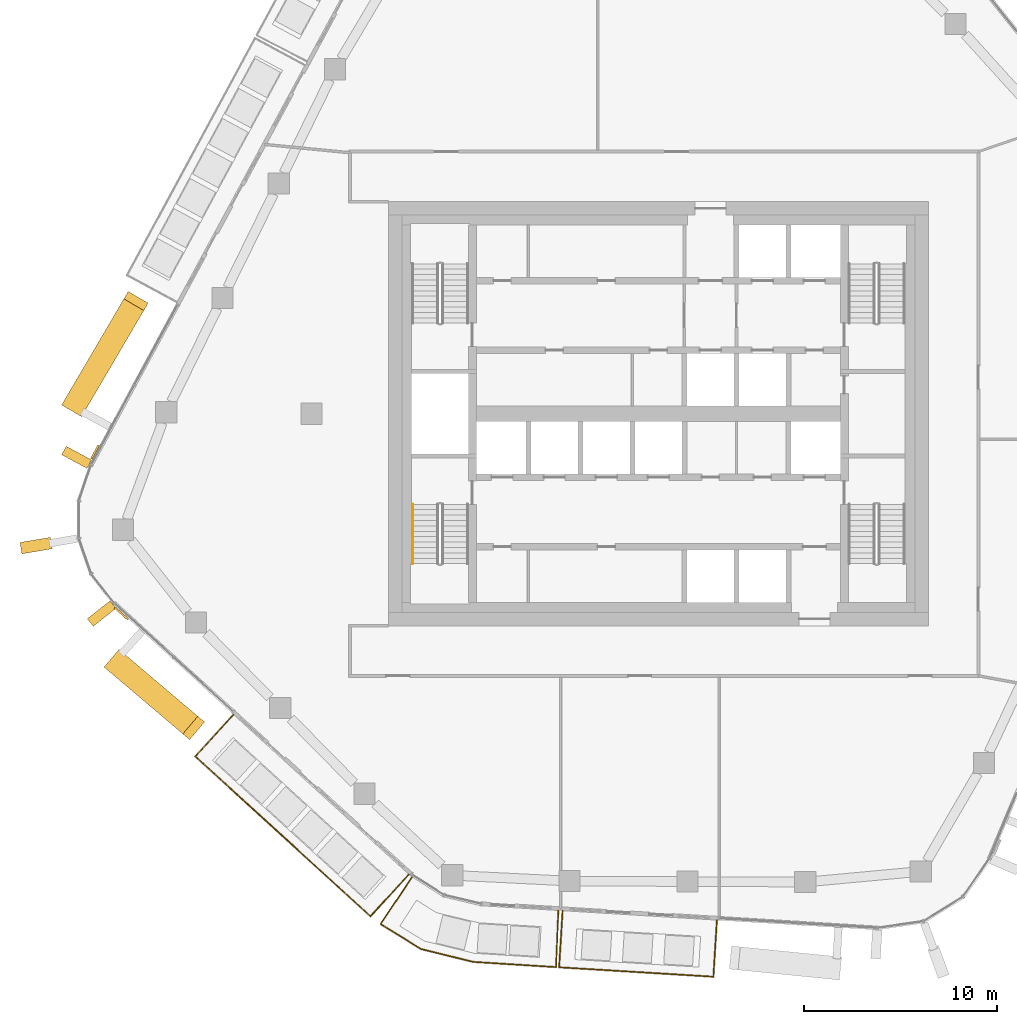
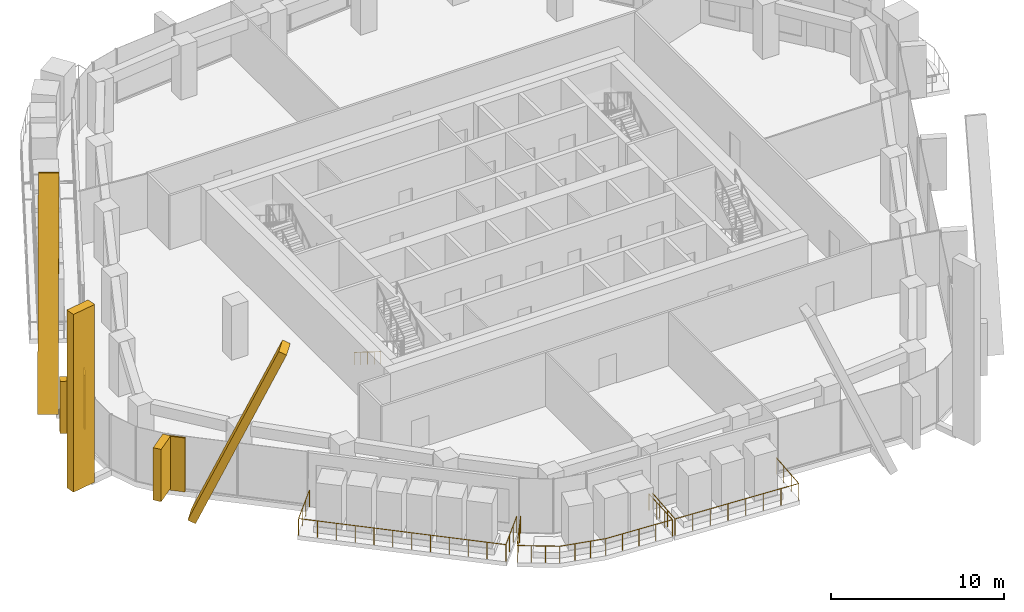
# One storey, part 15 of 20: 7 coverings, 4 railings, 3 elements without a shape of their own.
"""IFC4 building model written with IfcOpenShell, lengths in metres."""

from ifc_helpers import new_model, si_unit, direction, frame, origin, origin_2d, place, context, subcontext, project, spatial, rectangle, circle, extrude, material, layer, layer_set, material_profile, profile_set, type_object, element, aggregate, save


model = new_model("IFC4")

# Units and contexts
model_context = context("Model", 3, precision=1e-05, world=origin(), true_north=direction((0.0, 1.0)))
body_context = subcontext(model_context, "Body", "Model", "MODEL_VIEW")
ifc_project = project(units=[si_unit("LENGTHUNIT", "METRE"), si_unit("AREAUNIT", "SQUARE_METRE"), si_unit("VOLUMEUNIT", "CUBIC_METRE"), si_unit("PLANEANGLEUNIT", "RADIAN"), si_unit("MASSUNIT", "GRAM", prefix="KILO")], contexts=[model_context])

# Site, building, storey
site_placement = place(None, origin())
site = spatial("IfcSite", under=ifc_project, at=site_placement, CompositionType="ELEMENT")
building_placement = place(site_placement, origin())
building = spatial("IfcBuilding", under=site, at=building_placement, Name="Dongbaek Canopy Tower", CompositionType="ELEMENT")
storey_placement = place(building_placement, frame((0.0, 0.0, 253.800048828125)))
storey = spatial("IfcBuildingStorey", under=building, at=storey_placement, Name="L53", CompositionType="ELEMENT", Elevation=253.800048828125)

# Railings
ifc_material_1 = material(Name="Stainless steel", Category="steel")
railing_type_1 = type_object("IfcRailingType", Name="Balcony balustrade 1200", PredefinedType="BALUSTRADE", material=ifc_material_1)
railing_1_placement = place(storey_placement, frame((-22.044921875, -15.609375, 0.0)))
element("IfcRailing", 1, at=railing_1_placement, inside=storey, type_object=railing_type_1, Name="Balcony guard L53 3", PredefinedType="BALUSTRADE", context=body_context, shape_type="SweptSolid", body=[
    extrude(circle(Radius=0.02392578125, at=origin_2d()), frame((0.0, 0.0, 1.17578125), z_axis=(-0.673849872767, -0.738868289326, 0.0), x_axis=(0.738868289326, -0.673849872767, 0.0)), (0.0, 0.0, 1.0), 2.940185546875),
    extrude(circle(Radius=0.02392578125, at=origin_2d()), frame((-1.981201171875, -2.17236328125, 1.17578125), z_axis=(0.738846279303, -0.673874005702, 0.0), x_axis=(0.673874005702, 0.738846279303, 0.0)), (0.0, 0.0, 1.0), 12.302490234375),
    extrude(circle(Radius=0.02392578125, at=origin_2d()), frame((7.1083984375, -10.462646484375, 1.17578125), z_axis=(0.673891217517, 0.738830580684, 0.0), x_axis=(-0.738830580684, 0.673891217517, 0.0)), (0.0, 0.0, 1.0), 2.93994140625),
    extrude(circle(Radius=0.02099609375, at=origin_2d()), origin(), (0.0, 0.0, 1.0), 1.15185546875),
    extrude(circle(Radius=0.02099609375, at=origin_2d()), frame((-0.660400390625, -0.72412109375, 0.0)), (0.0, 0.0, 1.0), 1.15185546875),
    extrude(circle(Radius=0.02099609375, at=origin_2d()), frame((-1.32080078125, -1.4482421875, 0.0)), (0.0, 0.0, 1.0), 1.15185546875),
    extrude(circle(Radius=0.02099609375, at=origin_2d()), frame((-1.981201171875, -2.17236328125, 0.0)), (0.0, 0.0, 1.0), 1.15185546875),
    extrude(circle(Radius=0.02099609375, at=origin_2d()), frame((-1.15478515625, -2.926025390625, 0.0)), (0.0, 0.0, 1.0), 1.15185546875),
    extrude(circle(Radius=0.02099609375, at=origin_2d()), frame((-0.32861328125, -3.6796875, 0.0)), (0.0, 0.0, 1.0), 1.15185546875),
    extrude(circle(Radius=0.02099609375, at=origin_2d()), frame((0.497802734375, -4.433349609375, 0.0)), (0.0, 0.0, 1.0), 1.15185546875),
    extrude(circle(Radius=0.02099609375, at=origin_2d()), frame((1.32421875, -5.18701171875, 0.0)), (0.0, 0.0, 1.0), 1.15185546875),
    extrude(circle(Radius=0.02099609375, at=origin_2d()), frame((2.150390625, -5.940673828125, 0.0)), (0.0, 0.0, 1.0), 1.15185546875),
    extrude(circle(Radius=0.02099609375, at=origin_2d()), frame((2.976806640625, -6.6943359375, 0.0)), (0.0, 0.0, 1.0), 1.15185546875),
    extrude(circle(Radius=0.02099609375, at=origin_2d()), frame((3.802978515625, -7.447998046875, 0.0)), (0.0, 0.0, 1.0), 1.15185546875),
    extrude(circle(Radius=0.02099609375, at=origin_2d()), frame((4.62939453125, -8.20166015625, 0.0)), (0.0, 0.0, 1.0), 1.15185546875),
    extrude(circle(Radius=0.02099609375, at=origin_2d()), frame((5.455810546875, -8.955322265625, 0.0)), (0.0, 0.0, 1.0), 1.15185546875),
    extrude(circle(Radius=0.02099609375, at=origin_2d()), frame((6.281982421875, -9.708984375, 0.0)), (0.0, 0.0, 1.0), 1.15185546875),
    extrude(circle(Radius=0.02099609375, at=origin_2d()), frame((7.1083984375, -10.462646484375, 0.0)), (0.0, 0.0, 1.0), 1.15185546875),
    extrude(circle(Radius=0.02099609375, at=origin_2d()), frame((7.768798828125, -9.738525390625, 0.0)), (0.0, 0.0, 1.0), 1.15185546875),
    extrude(circle(Radius=0.02099609375, at=origin_2d()), frame((8.42919921875, -9.0146484375, 0.0)), (0.0, 0.0, 1.0), 1.15185546875),
    extrude(circle(Radius=0.02099609375, at=origin_2d()), frame((9.089599609375, -8.29052734375, 0.0)), (0.0, 0.0, 1.0), 1.15185546875),
])
railing_2_placement = place(storey_placement, frame((-4.973388671875, -25.78662109375, 0.0)))
element("IfcRailing", 2, at=railing_2_placement, inside=storey, type_object=railing_type_1, Name="Balcony guard L53 4", PredefinedType="BALUSTRADE", context=body_context, shape_type="SweptSolid", body=[
    extrude(circle(Radius=0.02392578125, at=origin_2d()), frame((0.0, 0.0, 1.17578125), z_axis=(-0.060785890692, -0.998150828028, 0.0), x_axis=(0.998150828028, -0.060785890692, 0.0)), (0.0, 0.0, 1.0), 2.93994140625),
    extrude(circle(Radius=0.02392578125, at=origin_2d()), frame((-0.1787109375, -2.9345703125, 1.17578125), z_axis=(0.998152082378, -0.060765289793, 0.0), x_axis=(0.060765289793, 0.998152082378, 0.0)), (0.0, 0.0, 1.0), 8.01953125),
    extrude(circle(Radius=0.02392578125, at=origin_2d()), frame((7.825927734375, -3.421875, 1.17578125), z_axis=(0.060785890692, 0.998150828028, 0.0), x_axis=(-0.998150828028, 0.060785890692, 0.0)), (0.0, 0.0, 1.0), 2.93994140625),
    extrude(circle(Radius=0.02099609375, at=origin_2d()), origin(), (0.0, 0.0, 1.0), 1.15185546875),
    extrude(circle(Radius=0.02099609375, at=origin_2d()), frame((-0.0595703125, -0.978271484375, 0.0)), (0.0, 0.0, 1.0), 1.15185546875),
    extrude(circle(Radius=0.02099609375, at=origin_2d()), frame((-0.119140625, -1.956298828125, 0.0)), (0.0, 0.0, 1.0), 1.15185546875),
    extrude(circle(Radius=0.02099609375, at=origin_2d()), frame((-0.1787109375, -2.9345703125, 0.0)), (0.0, 0.0, 1.0), 1.15185546875),
    extrude(circle(Radius=0.02099609375, at=origin_2d()), frame((0.96484375, -3.004150390625, 0.0)), (0.0, 0.0, 1.0), 1.15185546875),
    extrude(circle(Radius=0.02099609375, at=origin_2d()), frame((2.1083984375, -3.07373046875, 0.0)), (0.0, 0.0, 1.0), 1.15185546875),
    extrude(circle(Radius=0.02099609375, at=origin_2d()), frame((3.251953125, -3.143310546875, 0.0)), (0.0, 0.0, 1.0), 1.15185546875),
    extrude(circle(Radius=0.02099609375, at=origin_2d()), frame((4.395263671875, -3.213134765625, 0.0)), (0.0, 0.0, 1.0), 1.15185546875),
    extrude(circle(Radius=0.02099609375, at=origin_2d()), frame((5.538818359375, -3.28271484375, 0.0)), (0.0, 0.0, 1.0), 1.15185546875),
    extrude(circle(Radius=0.02099609375, at=origin_2d()), frame((6.682373046875, -3.352294921875, 0.0)), (0.0, 0.0, 1.0), 1.15185546875),
    extrude(circle(Radius=0.02099609375, at=origin_2d()), frame((7.825927734375, -3.421875, 0.0)), (0.0, 0.0, 1.0), 1.15185546875),
    extrude(circle(Radius=0.02099609375, at=origin_2d()), frame((7.885498046875, -2.443603515625, 0.0)), (0.0, 0.0, 1.0), 1.15185546875),
    extrude(circle(Radius=0.02099609375, at=origin_2d()), frame((7.945068359375, -1.465576171875, 0.0)), (0.0, 0.0, 1.0), 1.15185546875),
    extrude(circle(Radius=0.02099609375, at=origin_2d()), frame((8.004638671875, -0.4873046875, 0.0)), (0.0, 0.0, 1.0), 1.15185546875),
])
railing_3_placement = place(storey_placement, frame((-12.781494140625, -24.033203125, 0.0)))
element("IfcRailing", 3, at=railing_3_placement, inside=storey, type_object=railing_type_1, Name="Balcony guard L53 7", PredefinedType="BALUSTRADE", context=body_context, shape_type="SweptSolid", body=[
    extrude(circle(Radius=0.02392578125, at=origin_2d()), frame((0.0, 0.0, 1.17578125), z_axis=(-0.556519040496, -0.830834855772, 0.0), x_axis=(0.830834855772, -0.556519040496, 0.0)), (0.0, 0.0, 1.0), 2.940673828125),
    extrude(circle(Radius=0.02392578125, at=origin_2d()), frame((-1.636474609375, -2.443115234375, 1.17578125), z_axis=(0.851095144387, -0.525011481018, 0.0), x_axis=(0.525011481018, 0.851095144387, 0.0)), (0.0, 0.0, 1.0), 2.472900390625),
    extrude(circle(Radius=0.02392578125, at=origin_2d()), frame((0.46826171875, -3.741455078125, 1.17578125), z_axis=(0.970883915813, -0.239550458183, 0.0), x_axis=(0.239550458183, 0.970883915813, 0.0)), (0.0, 0.0, 1.0), 2.772216796875),
    extrude(circle(Radius=0.02392578125, at=origin_2d()), frame((3.15966796875, -4.405517578125, 1.17578125), z_axis=(0.998000766769, -0.063201815863, 0.0), x_axis=(0.063201815863, 0.998000766769, 0.0)), (0.0, 0.0, 1.0), 4.318603515625),
    extrude(circle(Radius=0.02392578125, at=origin_2d()), frame((7.4697265625, -4.678466796875, 1.17578125), z_axis=(0.040349332627, 0.999185634082, 0.0), x_axis=(-0.999185634082, 0.040349332627, 0.0)), (0.0, 0.0, 1.0), 2.940673828125),
    extrude(circle(Radius=0.02099609375, at=origin_2d()), origin(), (0.0, 0.0, 1.0), 1.15185546875),
    extrude(circle(Radius=0.02099609375, at=origin_2d()), frame((-0.54541015625, -0.814453125, 0.0)), (0.0, 0.0, 1.0), 1.15185546875),
    extrude(circle(Radius=0.02099609375, at=origin_2d()), frame((-1.091064453125, -1.628662109375, 0.0)), (0.0, 0.0, 1.0), 1.15185546875),
    extrude(circle(Radius=0.02099609375, at=origin_2d()), frame((-1.636474609375, -2.443115234375, 0.0)), (0.0, 0.0, 1.0), 1.15185546875),
    extrude(circle(Radius=0.02099609375, at=origin_2d()), frame((-0.934814453125, -2.8759765625, 0.0)), (0.0, 0.0, 1.0), 1.15185546875),
    extrude(circle(Radius=0.02099609375, at=origin_2d()), frame((-0.2333984375, -3.30859375, 0.0)), (0.0, 0.0, 1.0), 1.15185546875),
    extrude(circle(Radius=0.02099609375, at=origin_2d()), frame((0.46826171875, -3.741455078125, 0.0)), (0.0, 0.0, 1.0), 1.15185546875),
    extrude(circle(Radius=0.02099609375, at=origin_2d()), frame((1.365478515625, -3.962890625, 0.0)), (0.0, 0.0, 1.0), 1.15185546875),
    extrude(circle(Radius=0.02099609375, at=origin_2d()), frame((2.262451171875, -4.18408203125, 0.0)), (0.0, 0.0, 1.0), 1.15185546875),
    extrude(circle(Radius=0.02099609375, at=origin_2d()), frame((3.15966796875, -4.405517578125, 0.0)), (0.0, 0.0, 1.0), 1.15185546875),
    extrude(circle(Radius=0.02099609375, at=origin_2d()), frame((4.2373046875, -4.4736328125, 0.0)), (0.0, 0.0, 1.0), 1.15185546875),
    extrude(circle(Radius=0.02099609375, at=origin_2d()), frame((5.314697265625, -4.5419921875, 0.0)), (0.0, 0.0, 1.0), 1.15185546875),
    extrude(circle(Radius=0.02099609375, at=origin_2d()), frame((6.39208984375, -4.6103515625, 0.0)), (0.0, 0.0, 1.0), 1.15185546875),
    extrude(circle(Radius=0.02099609375, at=origin_2d()), frame((7.4697265625, -4.678466796875, 0.0)), (0.0, 0.0, 1.0), 1.15185546875),
    extrude(circle(Radius=0.02099609375, at=origin_2d()), frame((7.50927734375, -3.698974609375, 0.0)), (0.0, 0.0, 1.0), 1.15185546875),
    extrude(circle(Radius=0.02099609375, at=origin_2d()), frame((7.548828125, -2.7197265625, 0.0)), (0.0, 0.0, 1.0), 1.15185546875),
    extrude(circle(Radius=0.02099609375, at=origin_2d()), frame((7.58837890625, -1.740234375, 0.0)), (0.0, 0.0, 1.0), 1.15185546875),
])

# Curtain wall, covering
ifc_material_2 = material(Name="Aluminium 6063-T6 pale anodised", Category="aluminium")
ifc_layer_1 = layer(ifc_material_2, 0.199951171875)
ifc_layer_set_1 = layer_set([ifc_layer_1], Name="CW-1 unitised tower curtain wall")
curtain_wall_type = type_object("IfcCurtainWallType", Name="CW-1 unitised tower curtain wall", PredefinedType="NOTDEFINED", material=ifc_layer_set_1)
curtain_wall_1_placement = place(storey_placement, origin())
curtain_wall_1 = element("IfcCurtainWall", 4, at=curtain_wall_1_placement, inside=storey, type_object=curtain_wall_type, Name="CW-1 curtain wall K3.1", PredefinedType="NOTDEFINED")
ifc_material_3 = material(Name="Aluminium 6063-T6 pale metal fin", Category="aluminium")
ifc_material_profile_1 = material_profile(ifc_material_3, rectangle(XDim=1.60009765625, YDim=0.60009765625, at=origin_2d()), Name="Corner fin CN1 600 x 1600 pale metal")
ifc_profile_set_1 = profile_set([ifc_material_profile_1], Name="Aluminium 6063-T6 pale metal fin")
covering_type_1 = type_object("IfcCoveringType", Name="Corner fin CN1 600 x 1600 pale metal", PredefinedType="CLADDING", material=ifc_profile_set_1)
covering_1_placement = place(storey_placement, frame((-32.2861328125, -6.840087890625, -0.18994140625), z_axis=(0.0, 0.0, 1.0), x_axis=(-0.985907998064, -0.167288431619, 0.0)))
covering_1 = element("IfcCovering", 5, at=covering_1_placement, type_object=covering_type_1, Name="Corner fin L53 L55 K3", PredefinedType="CLADDING", context=body_context, shape_type="SweptSolid", body=[
    extrude(rectangle(XDim=1.60009765625, YDim=0.60009765625, at=origin_2d()), origin(), (0.0, 0.0, 1.0), 12.579833984375),
])

curtain_wall_2_placement = place(storey_placement, origin())
curtain_wall_2 = element("IfcCurtainWall", 6, at=curtain_wall_2_placement, inside=storey, type_object=curtain_wall_type, Name="CW-1 curtain wall F2.1", PredefinedType="NOTDEFINED")
ifc_material_4 = material(Name="Aluminium 6063-T6 pale metal fin", Category="aluminium")
ifc_material_profile_2 = material_profile(ifc_material_4, rectangle(XDim=1.199951171875, YDim=0.5, at=origin_2d()), Name="Crease fin CF1 500 x 1200 pale metal")
ifc_profile_set_2 = profile_set([ifc_material_profile_2], Name="Aluminium 6063-T6 pale metal fin")
covering_type_2 = type_object("IfcCoveringType", Name="Crease fin CF1 500 x 1200 pale metal", PredefinedType="CLADDING", material=ifc_profile_set_2)
covering_2_placement = place(storey_placement, frame((-30.3359375, 0.34521484375, -0.18994140625), z_axis=(0.228654572862, 0.389722255801, 0.892095090023), x_axis=(-0.862507986052, 0.5060434507, 0.0)))
covering_2 = element("IfcCovering", 7, at=covering_2_placement, type_object=covering_type_2, Name="Crease fin L53 L56 F2", PredefinedType="CLADDING", context=body_context, shape_type="SweptSolid", body=[
    extrude(rectangle(XDim=1.199951171875, YDim=0.5, at=origin_2d()), origin(), (0.0, 0.0, 1.0), 14.123779296875),
])

curtain_wall_3_placement = place(storey_placement, origin())
curtain_wall_3 = element("IfcCurtainWall", 8, at=curtain_wall_3_placement, inside=storey, type_object=curtain_wall_type, Name="CW-1 curtain wall F3.1", PredefinedType="NOTDEFINED")
covering_3_placement = place(storey_placement, frame((-28.203369140625, -12.834716796875, -0.18994140625), z_axis=(0.298770548291, -0.253236476186, 0.920112735812), x_axis=(0.646582763704, 0.762843843576, 0.0)))
covering_3 = element("IfcCovering", 9, at=covering_3_placement, type_object=covering_type_2, Name="Crease fin L53 L56 F3", PredefinedType="CLADDING", context=body_context, shape_type="SweptSolid", body=[
    extrude(rectangle(XDim=1.199951171875, YDim=0.5, at=origin_2d()), origin(), (0.0, 0.0, 1.0), 13.69384765625),
])

# Covering
ifc_material_5 = material(Name="Perforated aluminium 6063-T6 pale metal screen", Category="aluminium")
ifc_layer_2 = layer(ifc_material_5, 0.10009765625)
ifc_layer_set_2 = layer_set([ifc_layer_2], Name="Facet screen FS1 100 pale metal")
covering_type_3 = type_object("IfcCoveringType", Name="Facet screen FS1 100 pale metal", PredefinedType="CLADDING", material=ifc_layer_set_2)
covering_4_placement = place(storey_placement, frame((-29.235595703125, -1.9833984375, 0.0), z_axis=(0.0, 0.0, 1.0), x_axis=(-0.475201953296, -0.879876754769, 0.0)))
covering_4 = element("IfcCovering", 10, at=covering_4_placement, type_object=covering_type_3, Name="Facet screen L53 F2", PredefinedType="CLADDING", context=body_context, shape_type="SweptSolid", body=[
    extrude(rectangle(XDim=0.81298828125, YDim=0.10009765625, at=origin_2d()), origin(), (0.0, 0.0, 1.0), 3.820068359375),
])

covering_5_placement = place(storey_placement, frame((-27.86279296875, -10.365478515625, 0.0), z_axis=(0.0, 0.0, 1.0), x_axis=(0.738841236137, -0.673879535068, 0.0)))
covering_5 = element("IfcCovering", 11, at=covering_5_placement, type_object=covering_type_3, Name="Facet screen L53 F3", PredefinedType="CLADDING", context=body_context, shape_type="SweptSolid", body=[
    extrude(rectangle(XDim=0.935791015625, YDim=0.10009765625, at=origin_2d()), origin(), (0.0, 0.0, 1.0), 3.820068359375),
])

aggregate(curtain_wall_3, [covering_3, covering_5])

ifc_material_6 = material(Name="Aluminium 6063-T6 pale metal fin", Category="aluminium")
ifc_material_profile_3 = material_profile(ifc_material_6, rectangle(XDim=1.5, YDim=0.5, at=origin_2d()), Name="Fin FN1 500 x 1500 pale metal")
ifc_profile_set_3 = profile_set([ifc_material_profile_3], Name="Aluminium 6063-T6 pale metal fin")
covering_type_4 = type_object("IfcCoveringType", Name="Fin FN1 500 x 1500 pale metal", PredefinedType="CLADDING", material=ifc_profile_set_3)
covering_6_placement = place(storey_placement, frame((-30.18603515625, -2.26171875, 0.119873046875), z_axis=(0.0, 0.0, 1.0), x_axis=(-0.879876973154, 0.475201548938, 0.0)))
covering_6 = element("IfcCovering", 12, at=covering_6_placement, type_object=covering_type_4, Name="Fin F2.1.3", PredefinedType="CLADDING", context=body_context, shape_type="SweptSolid", body=[
    extrude(rectangle(XDim=1.5, YDim=0.5, at=origin_2d()), origin(), (0.0, 0.0, 1.0), 3.7001953125),
])

aggregate(curtain_wall_2, [covering_6, covering_2, covering_4])

covering_7_placement = place(storey_placement, frame((-28.88916015625, -10.3662109375, 0.119873046875), z_axis=(0.0, 0.0, 1.0), x_axis=(-0.786588619061, -0.61747740393, 0.0)))
covering_7 = element("IfcCovering", 13, at=covering_7_placement, type_object=covering_type_4, Name="Fin K3.1.5", PredefinedType="CLADDING", context=body_context, shape_type="SweptSolid", body=[
    extrude(rectangle(XDim=1.5, YDim=0.5, at=origin_2d()), origin(), (0.0, 0.0, 1.0), 3.7001953125),
])

aggregate(curtain_wall_1, [covering_7, covering_1])

# Railing
ifc_material_7 = material(Name="Stainless steel tube", Category="steel")
railing_type_2 = type_object("IfcRailingType", Name="Stair handrail 900", PredefinedType="HANDRAIL", material=ifc_material_7)
railing_4_placement = place(storey_placement, frame((-12.75, -4.699951171875, 0.175048828125)))
element("IfcRailing", 14, at=railing_4_placement, inside=storey, type_object=railing_type_2, Name="L53 ST-D stair handrail 1", PredefinedType="HANDRAIL", context=body_context, shape_type="SweptSolid", body=[
    extrude(circle(Radius=0.02392578125, at=origin_2d()), frame((0.0, 0.0, 0.8759765625), z_axis=(0.0, -0.848028513186, 0.529950602248), x_axis=(1.0, 0.0, 0.0)), (0.0, 0.0, 1.0), 3.632080078125),
    extrude(circle(Radius=0.02099609375, at=origin_2d()), origin(), (0.0, 0.0, 1.0), 0.851806640625),
    extrude(circle(Radius=0.02099609375, at=origin_2d()), frame((0.0, -0.77001953125, 0.481201171875)), (0.0, 0.0, 1.0), 0.851806640625),
    extrude(circle(Radius=0.02099609375, at=origin_2d()), frame((0.0, -1.5400390625, 0.96240234375)), (0.0, 0.0, 1.0), 0.851806640625),
    extrude(circle(Radius=0.02099609375, at=origin_2d()), frame((0.0, -2.31005859375, 1.443603515625)), (0.0, 0.0, 1.0), 0.851806640625),
    extrude(circle(Radius=0.02099609375, at=origin_2d()), frame((0.0, -3.080078125, 1.9248046875)), (0.0, 0.0, 1.0), 0.851806640625),
])

save(model, "model.ifc")
